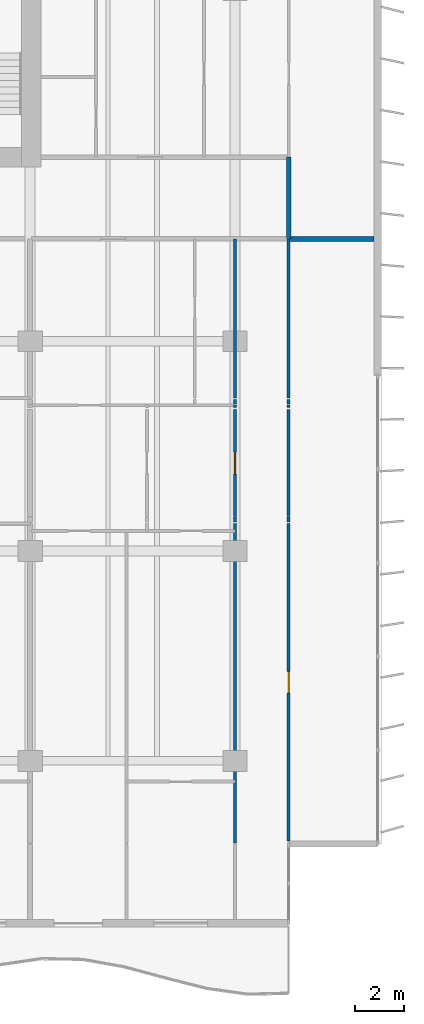
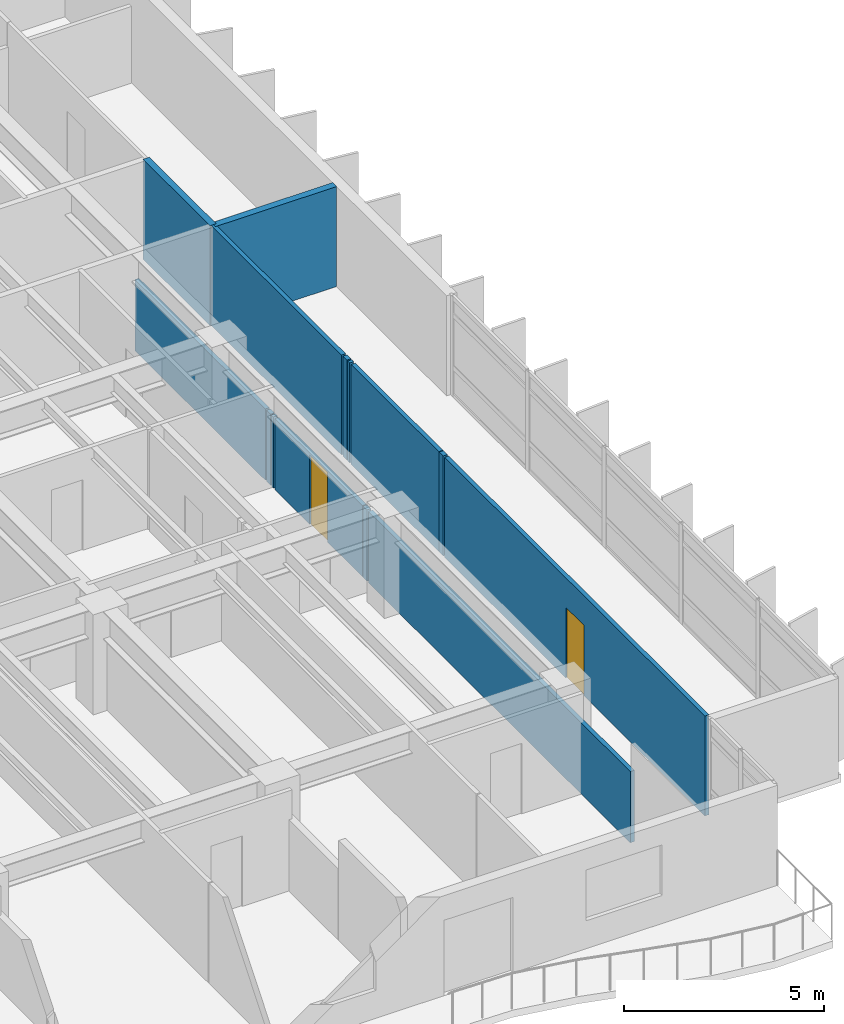
# One storey, part 14 of 19: 14 walls, 2 doors, 2 openings.
"""IFC4 building model written with IfcOpenShell, lengths in metres."""

import ifcopenshell
import ifcopenshell.guid

model = None  # the IFC model being written
_history = None  # IfcOwnerHistory: only IFC2X3 demands one
_inside = {}  # id of a spatial element -> (the spatial element, [elements in it])
_under = {}  # id of a project, library or spatial element -> (it, [spatial elements below it])
_declared = {}  # id of a project -> (the project, [libraries it declares])
_typed = {}  # id of a type object -> (the type object, [elements of that type])
_made_of = {}  # id of a material, layer set ... -> (it, [elements and type objects made of it])


def new_model(schema):
    """Start an empty IFC model of exactly this schema.

    Asked for "IFC4X3", IfcOpenShell would pick the latest addendum, in which some entities
    have other attributes; the version numbers below select the first issue.
    IFC2X3 requires an IfcOwnerHistory on every rooted entity: one is made here for all.
    """
    global model, _history
    if schema == "IFC4X3":
        model = ifcopenshell.file(schema_version=(4, 3, 0, 0))
    else:
        model = ifcopenshell.file(schema=schema)
    _inside.clear()
    _under.clear()
    _declared.clear()
    _typed.clear()
    _made_of.clear()
    _history = None
    if model.schema == "IFC2X3":
        org = make("IfcOrganization", Name="unknown")
        user = make(
            "IfcPersonAndOrganization",
            ThePerson=make("IfcPerson", FamilyName="unknown"),
            TheOrganization=org,
        )
        app = make(
            "IfcApplication",
            ApplicationDeveloper=org,
            Version="unknown",
            ApplicationFullName="unknown",
            ApplicationIdentifier="unknown",
        )
        _history = make(
            "IfcOwnerHistory",
            OwningUser=user,
            OwningApplication=app,
            ChangeAction="ADDED",
            CreationDate=0,
        )
    return model


def make(cls, **values):
    """One entity of the class cls with the attributes given. An attribute that is None is left unset."""
    return model.create_entity(
        cls, **{name: value for name, value in values.items() if value is not None}
    )


def rooted(cls, **values):
    """An entity with a GlobalId (a new one), such as an element, a storey or a relation."""
    return make(cls, GlobalId=ifcopenshell.guid.new(), OwnerHistory=_history, **values)


def si_unit(unit_type, name, prefix=None):
    """IfcSIUnit, for example si_unit("LENGTHUNIT", "METRE", prefix="MILLI")."""
    return make("IfcSIUnit", UnitType=unit_type, Prefix=prefix, Name=name)


def assignment(units):
    """IfcUnitAssignment: the units of a project."""
    return None if units is None else make("IfcUnitAssignment", Units=units)


def point(xyz):
    """IfcCartesianPoint."""
    return None if xyz is None else make("IfcCartesianPoint", Coordinates=xyz)


def direction(xyz):
    """IfcDirection."""
    return None if xyz is None else make("IfcDirection", DirectionRatios=xyz)


def frame(location, z_axis=None, x_axis=None):
    """IfcAxis2Placement3D, a coordinate frame: its origin and axes. An axis left out is left unset."""
    return make(
        "IfcAxis2Placement3D",
        Location=point(location),
        Axis=direction(z_axis),
        RefDirection=direction(x_axis),
    )


def frame_2d(location, x_axis=None):
    """IfcAxis2Placement2D, a coordinate frame in the plane: its origin and x axis."""
    return make(
        "IfcAxis2Placement2D", Location=point(location), RefDirection=direction(x_axis)
    )


def origin():
    """The frame at (0, 0, 0) with its axes left unset."""
    return frame((0.0, 0.0, 0.0))


def place(relative_to, where):
    """IfcLocalPlacement: puts the frame where relative to a parent placement (None: the world)."""
    return make(
        "IfcLocalPlacement", PlacementRelTo=relative_to, RelativePlacement=where
    )


def context(
    kind, dimensions, precision=None, world=None, true_north=None, identifier=None
):
    """IfcGeometricRepresentationContext, for example the 3D "Model" context."""
    return make(
        "IfcGeometricRepresentationContext",
        ContextIdentifier=identifier,
        ContextType=kind,
        CoordinateSpaceDimension=dimensions,
        Precision=precision,
        WorldCoordinateSystem=world,
        TrueNorth=true_north,
    )


def subcontext(parent, identifier, kind, view, scale=None):
    """IfcGeometricRepresentationSubContext, for example "Body" below "Model"."""
    return make(
        "IfcGeometricRepresentationSubContext",
        ContextIdentifier=identifier,
        ContextType=kind,
        ParentContext=parent,
        TargetScale=scale,
        TargetView=view,
    )


def project(units=None, contexts=None):
    """IfcProject with its units and contexts."""
    return rooted(
        "IfcProject",
        Name="project",
        RepresentationContexts=contexts,
        UnitsInContext=assignment(units),
    )


def spatial(cls, under=None, at=None, **own):
    """A site, building, storey or space (cls), placed at a placement, below another one or the project."""
    s = rooted(cls, ObjectPlacement=at, **own)
    if under is not None:
        _under.setdefault(under.id(), (under, []))[1].append(s)
    return s


def profile(cls, at=None, kind="AREA", **sizes):
    """A parametric profile (cls). Its sizes go by their IFC names, for example OverallWidth=200.0."""
    return make(cls, ProfileType=kind, Position=at, **sizes)


def rectangle(**sizes):
    """IfcRectangleProfileDef."""
    return profile("IfcRectangleProfileDef", **sizes)


def extrude(swept, where, along, depth):
    """IfcExtrudedAreaSolid: the profile swept, set in the frame where, extruded along a direction by depth."""
    return make(
        "IfcExtrudedAreaSolid",
        SweptArea=swept,
        Position=where,
        ExtrudedDirection=direction(along),
        Depth=depth,
    )


def shape(context_of_items, identifier, shape_type, items):
    """IfcShapeRepresentation: the items that make up one representation, for example the "Body"."""
    return make(
        "IfcShapeRepresentation",
        ContextOfItems=context_of_items,
        RepresentationIdentifier=identifier,
        RepresentationType=shape_type,
        Items=items,
    )


def material(Name=None, Category=None):
    """IfcMaterial."""
    return make("IfcMaterial", Name=Name, Category=Category)


def layer(
    of_material, thickness, ventilated=None, Name=None, Category=None, Priority=None
):
    """IfcMaterialLayer: one layer of a wall or slab, of a material (None: an air gap)."""
    return make(
        "IfcMaterialLayer",
        Material=of_material,
        LayerThickness=thickness,
        IsVentilated=ventilated,
        Name=Name,
        Category=Category,
        Priority=Priority,
    )


def layer_set(layers, Name=None):
    """IfcMaterialLayerSet."""
    return make("IfcMaterialLayerSet", MaterialLayers=layers, LayerSetName=Name)


def made_of(thing, what):
    """Note that an element or type object is made of a material, layer set ...; save() writes the relation."""
    if what is not None:
        _made_of.setdefault(what.id(), (what, []))[1].append(thing)
    return thing


def type_object(cls, material=None, **own):
    """A type object (cls), such as IfcWallType, which elements share."""
    return made_of(rooted(cls, **own), material)


def element(
    cls,
    number,
    at=None,
    inside=None,
    cuts=None,
    type_object=None,
    material=None,
    context=None,
    identifier="Body",
    shape_type=None,
    held_by="IfcProductDefinitionShape",
    body=None,
    shapes=None,
    **own,
):
    """One element of the class cls, such as IfcWall. Its Tag is "e" and its number.

    at: its placement. inside: the storey or other place that contains it. cuts: it is an
    opening in that element (IfcRelVoidsElement). A single representation is given by context,
    identifier, shape_type and body (its items); several are given by shapes. held_by: the class
    of the entity that holds the representations. save() writes the other relations.
    """
    e = rooted(cls, Tag="e%d" % number, ObjectPlacement=at, **own)
    if body is not None:
        shapes = [shape(context, identifier, shape_type, body)]
    if shapes is not None:
        e.Representation = make(held_by, Representations=shapes)
    if inside is not None:
        _inside.setdefault(inside.id(), (inside, []))[1].append(e)
    if cuts is not None:
        rooted(
            "IfcRelVoidsElement", RelatingBuildingElement=cuts, RelatedOpeningElement=e
        )
    if type_object is not None:
        _typed.setdefault(type_object.id(), (type_object, []))[1].append(e)
    return made_of(e, material)


def fill(opening, filler):
    """IfcRelFillsElement: the door or window that sits in an opening."""
    return rooted(
        "IfcRelFillsElement",
        RelatingOpeningElement=opening,
        RelatedBuildingElement=filler,
    )


def aggregate(whole, parts):
    """IfcRelAggregates: a whole, such as a stair, and the parts it consists of."""
    return rooted("IfcRelAggregates", RelatingObject=whole, RelatedObjects=parts)


def save(model, path):
    """Write the relations noted so far, then the file.

    IfcRelAggregates (storeys below a building ...), IfcRelContainedInSpatialStructure (elements
    in a storey), IfcRelDefinesByType, IfcRelAssociatesMaterial and IfcRelDeclares: one each for
    every whole, place, type object, material and project.
    """
    for whole, parts in _under.values():
        aggregate(whole, parts)
    for where, things in _inside.values():
        rooted(
            "IfcRelContainedInSpatialStructure",
            RelatedElements=things,
            RelatingStructure=where,
        )
    for kind, things in _typed.values():
        rooted("IfcRelDefinesByType", RelatedObjects=things, RelatingType=kind)
    for what, things in _made_of.values():
        rooted("IfcRelAssociatesMaterial", RelatedObjects=things, RelatingMaterial=what)
    for by, libraries in _declared.values():
        rooted("IfcRelDeclares", RelatingContext=by, RelatedDefinitions=libraries)
    model.write(path)


model = new_model("IFC4")

# Units and contexts
model_context = context("Model", 3, precision=1e-05, world=origin(), true_north=direction((0.0, 1.0)))
body_context = subcontext(model_context, "Body", "Model", "MODEL_VIEW")
ifc_project = project(units=[si_unit("LENGTHUNIT", "METRE"), si_unit("AREAUNIT", "SQUARE_METRE"), si_unit("VOLUMEUNIT", "CUBIC_METRE"), si_unit("PLANEANGLEUNIT", "RADIAN"), si_unit("MASSUNIT", "GRAM", prefix="KILO")], contexts=[model_context])

# Site, building, storey
site_placement = place(None, origin())
site = spatial("IfcSite", under=ifc_project, at=site_placement, CompositionType="ELEMENT")
building_placement = place(site_placement, origin())
building = spatial("IfcBuilding", under=site, at=building_placement, Name="Caelmar Bay Residences", CompositionType="ELEMENT")
storey_placement = place(building_placement, frame((0.0, 0.0, 115.800048828125)))
storey = spatial("IfcBuildingStorey", under=building, at=storey_placement, Name="L31", CompositionType="ELEMENT", Elevation=115.800048828125)

# Walls
ifc_material_1 = material(Name="Double-stud acoustic fire-rated gypsum partition 180 mm")
ifc_layer_1 = layer(ifc_material_1, 0.179931640625)
ifc_layer_set_1 = layer_set([ifc_layer_1], Name="Double-stud acoustic fire-rated gypsum partition 180 mm")
wall_type_1 = type_object("IfcWallType", Name="W-COR-200", PredefinedType="PARTITIONING", material=ifc_layer_set_1)
wall_1_placement = place(storey_placement, frame((70.10009765625, 33.60498046875, 0.0), z_axis=(0.0, 0.0, 1.0), x_axis=(0.0, 1.0, 0.0)))
element("IfcWall", 1, at=wall_1_placement, inside=storey, type_object=wall_type_1, Name="L31 Partition Wall V117", PredefinedType="PARTITIONING", context=body_context, shape_type="SweptSolid", body=[
    extrude(rectangle(XDim=3.344970703125, YDim=0.179931640625, at=frame_2d((1.67236328125, 0.0))), origin(), (0.0, 0.0, 1.0), 3.050048828125),
])
ifc_material_2 = material(Name="Acoustic metal-stud gypsum partition 120 mm")
ifc_layer_2 = layer(ifc_material_2, 0.1201171875)
ifc_layer_set_2 = layer_set([ifc_layer_2], Name="Acoustic metal-stud gypsum partition 120 mm")
wall_type_2 = type_object("IfcWallType", Name="W-PRT-120", PredefinedType="PARTITIONING", material=ifc_layer_set_2)
wall_2_placement = place(storey_placement, frame((67.89990234375, 8.840087890625, 0.0), z_axis=(0.0, 0.0, 1.0), x_axis=(0.0, 1.0, 0.0)))
element("IfcWall", 2, at=wall_2_placement, inside=storey, type_object=wall_type_2, Name="L31 Partition Wall V105", PredefinedType="PARTITIONING", context=body_context, shape_type="SweptSolid", body=[
    extrude(rectangle(XDim=13.08984375, YDim=0.1201171875, at=frame_2d((6.544921875, 0.0))), origin(), (0.0, 0.0, 1.0), 2.174072265625),
])
wall_3_placement = place(storey_placement, frame((67.89990234375, 22.0, 0.0), z_axis=(0.0, 0.0, 1.0), x_axis=(0.0, 1.0, 0.0)))
element("IfcWall", 3, at=wall_3_placement, inside=storey, type_object=wall_type_2, Name="L31 Partition Wall V106", PredefinedType="PARTITIONING", context=body_context, shape_type="SweptSolid", body=[
    extrude(rectangle(XDim=0.199951171875, YDim=0.1201171875, at=frame_2d((0.10009765625, 0.0))), origin(), (0.0, 0.0, 1.0), 2.174072265625),
])

# Wall, opening, door
wall_4_placement = place(storey_placement, frame((67.89990234375, 22.219970703125, 0.0), z_axis=(0.0, 0.0, 1.0), x_axis=(0.0, 1.0, 0.0)))
wall_4 = element("IfcWall", 4, at=wall_4_placement, inside=storey, type_object=wall_type_2, Name="L31 Partition Wall V107", PredefinedType="PARTITIONING", context=body_context, shape_type="SweptSolid", body=[
    extrude(rectangle(XDim=4.380126953125, YDim=0.1201171875, at=frame_2d((2.18994140625, 0.0))), origin(), (0.0, 0.0, 1.0), 2.174072265625),
])
opening_1_placement = place(wall_4_placement, frame((1.739990234375, 0.0, 0.0)))
opening_1 = element("IfcOpeningElement", 5, at=opening_1_placement, cuts=wall_4, Name="Opening D-L31-161", PredefinedType="OPENING", context=body_context, shape_type="SweptSolid", body=[
    extrude(rectangle(XDim=0.89990234375, YDim=2.1240234375, at=frame_2d((0.449951171875, 1.06201171875))), frame((0.0, 0.070068359375, 0.0), z_axis=(0.0, -1.0, 0.0), x_axis=(1.0, 0.0, 0.0)), (0.0, 0.0, 1.0), 0.14013671875),
])
ifc_material_3 = material(Name="Solid walnut timber interior door leaf and frame", Category="wood")
ifc_layer_3 = layer(ifc_material_3, 0.050048828125)
ifc_layer_set_3 = layer_set([ifc_layer_3], Name="Solid walnut timber interior door leaf and frame")
door_type = type_object("IfcDoorType", Name="D-ROOM-900", OperationType="NOTDEFINED", PredefinedType="DOOR", material=ifc_layer_set_3)
door_1_placement = place(opening_1_placement, origin())
door_1 = element("IfcDoor", 6, at=door_1_placement, inside=storey, type_object=door_type, Name="L31 Residence 05 East Apartment Hall Door", OperationType="SINGLE_SWING_RIGHT", OverallHeight=2.1240234375, OverallWidth=0.89990234375, PredefinedType="DOOR", context=body_context, shape_type="SweptSolid", body=[
    extrude(rectangle(XDim=0.89990234375, YDim=2.1240234375, at=frame_2d((0.449951171875, 1.06201171875))), frame((0.0, 0.02490234375, 0.0), z_axis=(0.0, -1.0, 0.0), x_axis=(1.0, 0.0, 0.0)), (0.0, 0.0, 1.0), 0.050048828125),
])
fill(opening_1, door_1)

# Walls
wall_5_placement = place(storey_placement, frame((67.89990234375, 26.679931640625, 0.0), z_axis=(0.0, 0.0, 1.0), x_axis=(0.0, 1.0, 0.0)))
element("IfcWall", 7, at=wall_5_placement, inside=storey, type_object=wall_type_2, Name="L31 Partition Wall V108", PredefinedType="PARTITIONING", context=body_context, shape_type="SweptSolid", body=[
    extrude(rectangle(XDim=0.10009765625, YDim=0.1201171875, at=frame_2d((0.050048828125, 0.0))), origin(), (0.0, 0.0, 1.0), 2.174072265625),
])
wall_6_placement = place(storey_placement, frame((67.89990234375, 26.820068359375, 0.0), z_axis=(0.0, 0.0, 1.0), x_axis=(0.0, 1.0, 0.0)))
element("IfcWall", 8, at=wall_6_placement, inside=storey, type_object=wall_type_2, Name="L31 Partition Wall V109", PredefinedType="PARTITIONING", context=body_context, shape_type="SweptSolid", body=[
    extrude(rectangle(XDim=0.199951171875, YDim=0.1201171875, at=frame_2d((0.10009765625, 0.0))), origin(), (0.0, 0.0, 1.0), 2.174072265625),
])
wall_7_placement = place(storey_placement, frame((67.89990234375, 27.080078125, 0.0), z_axis=(0.0, 0.0, 1.0), x_axis=(0.0, 1.0, 0.0)))
element("IfcWall", 9, at=wall_7_placement, inside=storey, type_object=wall_type_2, Name="L31 Partition Wall V110", PredefinedType="PARTITIONING", context=body_context, shape_type="SweptSolid", body=[
    extrude(rectangle(XDim=6.52001953125, YDim=0.1201171875, at=frame_2d((3.260009765625, 0.0))), origin(), (0.0, 0.0, 1.0), 2.174072265625),
])

# Wall, opening, door
wall_8_placement = place(storey_placement, frame((70.10009765625, 8.919921875, 0.0), z_axis=(0.0, 0.0, 1.0), x_axis=(0.0, 1.0, 0.0)))
wall_8 = element("IfcWall", 10, at=wall_8_placement, inside=storey, type_object=wall_type_2, Name="L31 Partition Wall V111", PredefinedType="PARTITIONING", context=body_context, shape_type="SweptSolid", body=[
    extrude(rectangle(XDim=13.010009765625, YDim=0.1201171875, at=frame_2d((6.5048828125, 0.0))), origin(), (0.0, 0.0, 1.0), 3.050048828125),
])
opening_2_placement = place(wall_8_placement, frame((6.054931640625, 0.0, 0.0)))
opening_2 = element("IfcOpeningElement", 11, at=opening_2_placement, cuts=wall_8, Name="Opening D-L31-163", PredefinedType="OPENING", context=body_context, shape_type="SweptSolid", body=[
    extrude(rectangle(XDim=0.89990234375, YDim=2.14990234375, at=frame_2d((0.449951171875, 1.074951171875))), frame((0.0, 0.070068359375, 0.0), z_axis=(0.0, -1.0, 0.0), x_axis=(1.0, 0.0, 0.0)), (0.0, 0.0, 1.0), 0.14013671875),
])
door_2_placement = place(opening_2_placement, origin())
door_2 = element("IfcDoor", 12, at=door_2_placement, inside=storey, type_object=door_type, Name="L31 Residence 05 Penthouse East Salon Door", OperationType="SINGLE_SWING_RIGHT", OverallHeight=2.14990234375, OverallWidth=0.89990234375, PredefinedType="DOOR", context=body_context, shape_type="SweptSolid", body=[
    extrude(rectangle(XDim=0.89990234375, YDim=2.14990234375, at=frame_2d((0.449951171875, 1.074951171875))), frame((0.0, 0.02490234375, 0.0), z_axis=(0.0, -1.0, 0.0), x_axis=(1.0, 0.0, 0.0)), (0.0, 0.0, 1.0), 0.050048828125),
])
fill(opening_2, door_2)

# Walls
wall_9_placement = place(storey_placement, frame((70.10009765625, 22.0, 0.0), z_axis=(0.0, 0.0, 1.0), x_axis=(0.0, 1.0, 0.0)))
element("IfcWall", 13, at=wall_9_placement, inside=storey, type_object=wall_type_2, Name="L31 Partition Wall V112", PredefinedType="PARTITIONING", context=body_context, shape_type="SweptSolid", body=[
    extrude(rectangle(XDim=0.199951171875, YDim=0.1201171875, at=frame_2d((0.10009765625, 0.0))), origin(), (0.0, 0.0, 1.0), 3.050048828125),
])
wall_10_placement = place(storey_placement, frame((70.10009765625, 22.219970703125, 0.0), z_axis=(0.0, 0.0, 1.0), x_axis=(0.0, 1.0, 0.0)))
element("IfcWall", 14, at=wall_10_placement, inside=storey, type_object=wall_type_2, Name="L31 Partition Wall V113", PredefinedType="PARTITIONING", context=body_context, shape_type="SweptSolid", body=[
    extrude(rectangle(XDim=4.380126953125, YDim=0.1201171875, at=frame_2d((2.18994140625, 0.0))), origin(), (0.0, 0.0, 1.0), 3.050048828125),
])
wall_11_placement = place(storey_placement, frame((70.10009765625, 26.679931640625, 0.0), z_axis=(0.0, 0.0, 1.0), x_axis=(0.0, 1.0, 0.0)))
element("IfcWall", 15, at=wall_11_placement, inside=storey, type_object=wall_type_2, Name="L31 Partition Wall V114", PredefinedType="PARTITIONING", context=body_context, shape_type="SweptSolid", body=[
    extrude(rectangle(XDim=0.10009765625, YDim=0.1201171875, at=frame_2d((0.050048828125, 0.0))), origin(), (0.0, 0.0, 1.0), 3.050048828125),
])
wall_12_placement = place(storey_placement, frame((70.10009765625, 26.820068359375, 0.0), z_axis=(0.0, 0.0, 1.0), x_axis=(0.0, 1.0, 0.0)))
element("IfcWall", 16, at=wall_12_placement, inside=storey, type_object=wall_type_2, Name="L31 Partition Wall V115", PredefinedType="PARTITIONING", context=body_context, shape_type="SweptSolid", body=[
    extrude(rectangle(XDim=0.199951171875, YDim=0.1201171875, at=frame_2d((0.10009765625, 0.0))), origin(), (0.0, 0.0, 1.0), 3.050048828125),
])
wall_13_placement = place(storey_placement, frame((70.10009765625, 27.080078125, 0.0), z_axis=(0.0, 0.0, 1.0), x_axis=(0.0, 1.0, 0.0)))
element("IfcWall", 17, at=wall_13_placement, inside=storey, type_object=wall_type_2, Name="L31 Partition Wall V116", PredefinedType="PARTITIONING", context=body_context, shape_type="SweptSolid", body=[
    extrude(rectangle(XDim=6.52001953125, YDim=0.1201171875, at=frame_2d((3.260009765625, 0.0))), origin(), (0.0, 0.0, 1.0), 3.050048828125),
])
ifc_material_4 = material(Name="Acoustic twin-stud fire-rated inter-tenancy partition 200 mm")
ifc_layer_4 = layer(ifc_material_4, 0.199951171875)
ifc_layer_set_4 = layer_set([ifc_layer_4], Name="Acoustic twin-stud fire-rated inter-tenancy partition 200 mm")
wall_type_3 = type_object("IfcWallType", Name="W-PTY-200", PredefinedType="PARTITIONING", material=ifc_layer_set_4)
wall_14_placement = place(storey_placement, frame((70.10498046875, 33.60009765625, 0.0), z_axis=(0.0, 0.0, 1.0), x_axis=(1.0, 0.0, 0.0)))
element("IfcWall", 18, at=wall_14_placement, inside=storey, type_object=wall_type_3, Name="L31 Partition Wall H143", PredefinedType="PARTITIONING", context=body_context, shape_type="SweptSolid", body=[
    extrude(rectangle(XDim=3.5, YDim=0.199951171875, at=frame_2d((1.75, 0.0))), origin(), (0.0, 0.0, 1.0), 3.050048828125),
])

save(model, "model.ifc")
